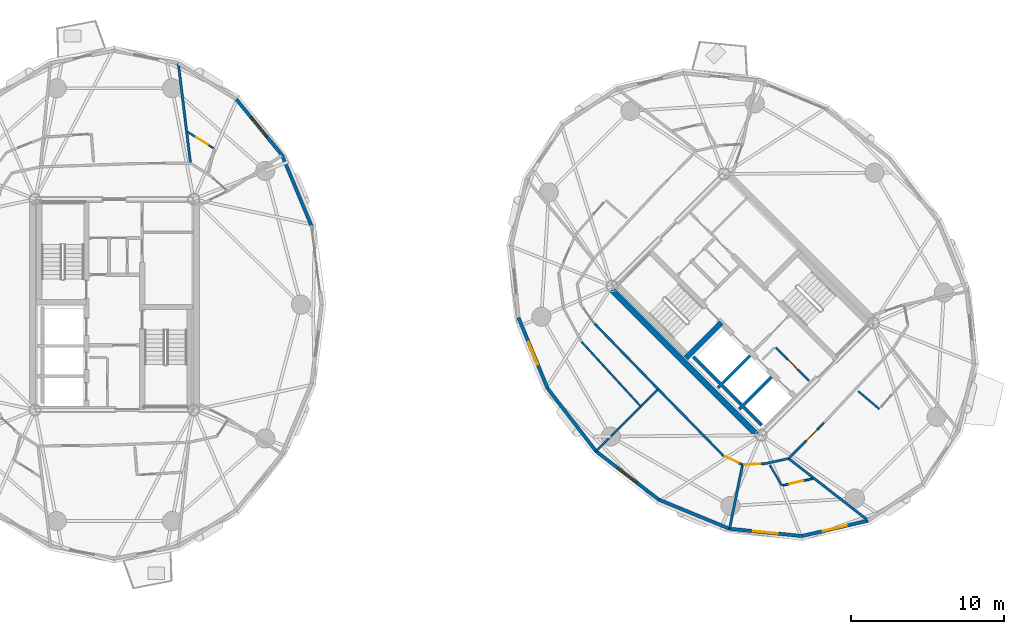
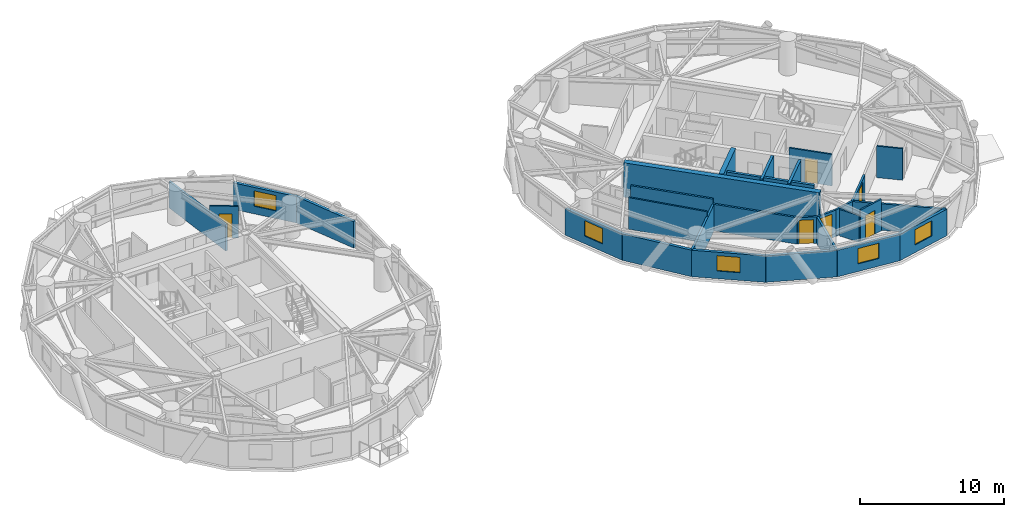
# One storey, part 10 of 16: 31 walls, 6 doors, 5 windows, 11 openings.
"""IFC4 building model written with IfcOpenShell, lengths in metres."""

from ifc_helpers import new_model, si_unit, direction, frame, frame_2d, origin, place, context, subcontext, project, spatial, rectangle, extrude, source, transform, mapped, material, layer, layer_set, type_object, element, fill, save


model = new_model("IFC4")

# Units and contexts
model_context = context("Model", 3, precision=1e-05, world=origin(), true_north=direction((0.0, 1.0)))
body_context = subcontext(model_context, "Body", "Model", "MODEL_VIEW")
ifc_project = project(units=[si_unit("LENGTHUNIT", "METRE"), si_unit("AREAUNIT", "SQUARE_METRE"), si_unit("VOLUMEUNIT", "CUBIC_METRE"), si_unit("PLANEANGLEUNIT", "RADIAN"), si_unit("MASSUNIT", "GRAM", prefix="KILO")], contexts=[model_context])

# Site, building, storey
site_placement = place(None, origin())
site = spatial("IfcSite", under=ifc_project, at=site_placement, CompositionType="ELEMENT")
building_placement = place(site_placement, origin())
building = spatial("IfcBuilding", under=site, at=building_placement, Name="Cununo Teusaquillo Station Towers", CompositionType="ELEMENT")
storey_placement = place(building_placement, frame((0.0, 0.0, 180.699951171875)))
storey = spatial("IfcBuildingStorey", under=building, at=storey_placement, Name="L57", CompositionType="ELEMENT", Elevation=180.699951171875)

# Walls
ifc_material_1 = material(Name="Concrete C50/60", Category="concrete")
ifc_layer_1 = layer(ifc_material_1, 0.199951171875)
ifc_layer_set_1 = layer_set([ifc_layer_1], Name="Concrete C50/60")
wall_type_1 = type_object("IfcWallType", Name="WL-CORE-200", PredefinedType="SHEAR", material=ifc_layer_set_1)
wall_1_placement = place(storey_placement, frame((55.8876953125, 19.0693359375, 0.0), z_axis=(0.0, 0.0, 1.0), x_axis=(0.707106781187, 0.707106781187, 0.0)))
element("IfcWall", 1, at=wall_1_placement, inside=storey, type_object=wall_type_1, Name="L57 Tower B Firefighting Lift Shaft South Shear Wall", PredefinedType="SHEAR", context=body_context, shape_type="SweptSolid", body=[
    extrude(rectangle(XDim=2.969970703125, YDim=0.199951171875, at=frame_2d((1.48486328125, 0.0))), origin(), (0.0, 0.0, 1.0), 2.91015625),
])
wall_2_placement = place(storey_placement, frame((56.01513671875, 19.366455078125, 0.0), z_axis=(0.0, 0.0, 1.0), x_axis=(-0.707106781187, 0.707106781187, 0.0)))
element("IfcWall", 2, at=wall_2_placement, inside=storey, type_object=wall_type_1, Name="L57 Tower B Firefighting Lift Shaft Rear Shear Wall", PredefinedType="SHEAR", context=body_context, shape_type="SweptSolid", body=[
    extrude(rectangle(XDim=2.43994140625, YDim=0.199951171875, at=frame_2d((1.219970703125, 0.0))), origin(), (0.0, 0.0, 1.0), 2.91015625),
])
wall_3_placement = place(storey_placement, frame((57.2841796875, 17.6728515625, 0.0), z_axis=(0.0, 0.0, 1.0), x_axis=(0.707147878904, 0.70706568108, 0.0)))
element("IfcWall", 3, at=wall_3_placement, inside=storey, type_object=wall_type_1, Name="L57 Tower B High-Rise Lift Hoistway Divider Shear Wall", PredefinedType="SHEAR", context=body_context, shape_type="SweptSolid", body=[
    extrude(rectangle(XDim=2.97021484375, YDim=0.199951171875, at=frame_2d((1.485107421875, 0.0))), origin(), (0.0, 0.0, 1.0), 2.91015625),
])
wall_4_placement = place(storey_placement, frame((57.41162109375, 17.969970703125, 0.0), z_axis=(0.0, 0.0, 1.0), x_axis=(-0.707106781187, 0.707106781187, 0.0)))
element("IfcWall", 4, at=wall_4_placement, inside=storey, type_object=wall_type_1, Name="L57 Tower B High-Rise Lift 2 Shaft Rear Shear Wall", PredefinedType="SHEAR", context=body_context, shape_type="SweptSolid", body=[
    extrude(rectangle(XDim=1.73486328125, YDim=0.199951171875, at=frame_2d((0.867431640625, 0.0))), origin(), (0.0, 0.0, 1.0), 2.91015625),
])
wall_5_placement = place(storey_placement, frame((58.7373046875, 16.64404296875, 0.0), z_axis=(0.0, 0.0, 1.0), x_axis=(-0.707032117043, 0.707181437447, 0.0)))
element("IfcWall", 5, at=wall_5_placement, inside=storey, type_object=wall_type_1, Name="L57 Tower B High-Rise Lift 1 Shaft Rear Shear Wall", PredefinedType="SHEAR", context=body_context, shape_type="SweptSolid", body=[
    extrude(rectangle(XDim=1.635009765625, YDim=0.199951171875, at=frame_2d((0.8173828125, 0.0))), origin(), (0.0, 0.0, 1.0), 2.91015625),
])
ifc_material_2 = material(Name="Concrete C50/60", Category="concrete")
ifc_layer_2 = layer(ifc_material_2, 0.35009765625)
ifc_layer_set_2 = layer_set([ifc_layer_2], Name="Concrete C50/60")
wall_type_2 = type_object("IfcWallType", Name="WL-CORE-350", PredefinedType="SHEAR", material=ifc_layer_set_2)
wall_6_placement = place(storey_placement, frame((53.7841796875, 21.00341796875, 0.0), z_axis=(0.0, 0.0, 1.0), x_axis=(0.707106781187, 0.707106781187, 0.0)))
element("IfcWall", 6, at=wall_6_placement, inside=storey, type_object=wall_type_2, Name="L57 Tower B Core Shear Wall ST1S", PredefinedType="SHEAR", context=body_context, shape_type="SweptSolid", body=[
    extrude(rectangle(XDim=3.284912109375, YDim=0.35009765625, at=frame_2d((1.642578125, 0.0))), origin(), (0.0, 0.0, 1.0), 2.91015625),
])
ifc_material_3 = material(Name="Concrete C50/60", Category="concrete")
ifc_layer_3 = layer(ifc_material_3, 0.39990234375)
ifc_layer_set_3 = layer_set([ifc_layer_3], Name="Concrete C50/60")
wall_type_3 = type_object("IfcWallType", Name="WL-CORE-400", PredefinedType="SHEAR", material=ifc_layer_set_3)
wall_7_placement = place(storey_placement, frame((58.7021484375, 15.73193359375, 0.0), z_axis=(0.0, 0.0, 1.0), x_axis=(-0.707106781187, 0.707106781187, 0.0)))
element("IfcWall", 7, at=wall_7_placement, inside=storey, type_object=wall_type_3, Name="L57 Tower B Core Shear Wall W", PredefinedType="SHEAR", context=body_context, shape_type="SweptSolid", body=[
    extrude(rectangle(XDim=14.10009765625, YDim=0.39990234375, at=frame_2d((7.050048828125, 0.0))), origin(), (0.0, 0.0, 1.0), 2.91015625),
])
ifc_material_4 = material(Name="Precast concrete C40/50", Category="concrete")
ifc_layer_4 = layer(ifc_material_4, 0.219970703125)
ifc_layer_set_4 = layer_set([ifc_layer_4], Name="Precast concrete C40/50")
wall_type_4 = type_object("IfcWallType", Name="WL-EXT-220", PredefinedType="SOLIDWALL", material=ifc_layer_set_4)
wall_8_placement = place(storey_placement, frame((27.44677734375, 34.239501953125, 0.0), z_axis=(0.0, 0.0, 1.0), x_axis=(0.384144094086, -0.923273152961, 0.0)))
element("IfcWall", 8, at=wall_8_placement, inside=storey, type_object=wall_type_4, Name="L57 Tower A Exterior Facade Wall C01", PredefinedType="SOLIDWALL", context=body_context, shape_type="SweptSolid", body=[
    extrude(rectangle(XDim=5.0029296875, YDim=0.219970703125, at=frame_2d((2.50146484375, 0.0))), origin(), (0.0, 0.0, 1.0), 2.2451171875),
])

# Wall, opening, window
wall_9_placement = place(storey_placement, frame((24.453369140625, 37.905517578125, 0.0), z_axis=(0.0, 0.0, 1.0), x_axis=(0.632470615287, -0.774584353572, 0.0)))
wall_9 = element("IfcWall", 9, at=wall_9_placement, inside=storey, type_object=wall_type_4, Name="L57 Tower A Exterior Facade Wall C02", PredefinedType="SOLIDWALL", context=body_context, shape_type="SweptSolid", body=[
    extrude(rectangle(XDim=4.73291015625, YDim=0.219970703125, at=frame_2d((2.366455078125, 0.0))), origin(), (0.0, 0.0, 1.0), 2.2451171875),
])
shared_shape_1 = source(origin(), body_context, "Body", "SweptSolid", [
    extrude(rectangle(XDim=1.60009765625, YDim=1.300048828125, at=frame_2d((0.800048828125, 0.64990234375))), frame((0.0, 0.119873046875, 0.0), z_axis=(0.0, -1.0, 0.0), x_axis=(1.0, 0.0, 0.0)), (0.0, 0.0, 1.0), 0.239990234375),
])
opening_1_placement = place(wall_9_placement, frame((1.56591796875, 0.0, 0.64990234375)))
opening_1 = element("IfcOpeningElement", 10, at=opening_1_placement, cuts=wall_9, Name="Opening WN-03", PredefinedType="OPENING", context=body_context, shape_type="MappedRepresentation", body=[
    mapped(shared_shape_1, transform((0.0, 0.0, 0.0), x_axis=(1.0, 0.0, 0.0), y_axis=(0.0, 1.0, 0.0), z_axis=(0.0, 0.0, 1.0), scale=1.0)),
])
ifc_material_5 = material(Name="Ceramic-fritted dark low-E double glazing", Category="glass")
window_type = type_object("IfcWindowType", Name="WIN-CORN-1600", PartitioningType="SINGLE_PANEL", PredefinedType="WINDOW", material=ifc_material_5)
shared_shape_2 = source(origin(), body_context, "Body", "SweptSolid", [
    extrude(rectangle(XDim=1.60009765625, YDim=1.300048828125, at=frame_2d((0.800048828125, 0.64990234375))), frame((0.0, 0.030029296875, 0.0), z_axis=(0.0, -1.0, 0.0), x_axis=(1.0, 0.0, 0.0)), (0.0, 0.0, 1.0), 0.06005859375),
])
window_1_placement = place(opening_1_placement, origin())
window_1 = element("IfcWindow", 11, at=window_1_placement, inside=storey, type_object=window_type, Name="L57 Tower A Facade Window C02", OverallHeight=1.300048828125, OverallWidth=1.60009765625, PartitioningType="SINGLE_PANEL", PredefinedType="WINDOW", context=body_context, shape_type="MappedRepresentation", body=[
    mapped(shared_shape_2, transform((0.0, 0.0, 0.0), x_axis=(1.0, 0.0, 0.0), y_axis=(0.0, 1.0, 0.0), z_axis=(0.0, 0.0, 1.0), scale=1.0)),
])
fill(opening_1, window_1)

wall_10_placement = place(storey_placement, frame((44.77978515625, 19.02099609375, 0.0), z_axis=(0.0, 0.0, 1.0), x_axis=(-0.381196434348, 0.924494066201, 0.0)))
wall_10 = element("IfcWall", 12, at=wall_10_placement, inside=storey, type_object=wall_type_4, Name="L57 Tower B Exterior Facade Wall C08", PredefinedType="SOLIDWALL", context=body_context, shape_type="SweptSolid", body=[
    extrude(rectangle(XDim=5.003173828125, YDim=0.219970703125, at=frame_2d((2.50146484375, 0.0))), origin(), (0.0, 0.0, 1.0), 2.2451171875),
])
opening_2_placement = place(wall_10_placement, frame((1.701904296875, 0.0, 0.64990234375)))
opening_2 = element("IfcOpeningElement", 13, at=opening_2_placement, cuts=wall_10, Name="Opening WN-03", PredefinedType="OPENING", context=body_context, shape_type="MappedRepresentation", body=[
    mapped(shared_shape_1, transform((0.0, 0.0, 0.0), x_axis=(1.0, 0.0, 0.0), y_axis=(0.0, 1.0, 0.0), z_axis=(0.0, 0.0, 1.0), scale=1.0)),
])
window_2_placement = place(opening_2_placement, origin())
window_2 = element("IfcWindow", 14, at=window_2_placement, inside=storey, type_object=window_type, Name="L57 Tower B Facade Window C08", OverallHeight=1.300048828125, OverallWidth=1.60009765625, PartitioningType="SINGLE_PANEL", PredefinedType="WINDOW", context=body_context, shape_type="MappedRepresentation", body=[
    mapped(shared_shape_2, transform((0.0, 0.0, 0.0), x_axis=(1.0, 0.0, 0.0), y_axis=(0.0, 1.0, 0.0), z_axis=(0.0, 0.0, 1.0), scale=1.0)),
])
fill(opening_2, window_2)

# Wall
wall_11_placement = place(storey_placement, frame((47.93212890625, 14.93212890625, 0.0), z_axis=(0.0, 0.0, 1.0), x_axis=(-0.610569654715, 0.791962560189, 0.0)))
element("IfcWall", 15, at=wall_11_placement, inside=storey, type_object=wall_type_4, Name="L57 Tower B Exterior Facade Wall C09", PredefinedType="SOLIDWALL", context=body_context, shape_type="SweptSolid", body=[
    extrude(rectangle(XDim=5.162841796875, YDim=0.219970703125, at=frame_2d((2.58154296875, 0.0))), origin(), (0.0, 0.0, 1.0), 2.2451171875),
])

# Wall, opening, window
wall_12_placement = place(storey_placement, frame((52.02099609375, 11.77978515625, 0.0), z_axis=(0.0, 0.0, 1.0), x_axis=(-0.791962560189, 0.610569654715, 0.0)))
wall_12 = element("IfcWall", 16, at=wall_12_placement, inside=storey, type_object=wall_type_4, Name="L57 Tower B Exterior Facade Wall C10", PredefinedType="SOLIDWALL", context=body_context, shape_type="SweptSolid", body=[
    extrude(rectangle(XDim=5.162841796875, YDim=0.219970703125, at=frame_2d((2.58154296875, 0.0))), origin(), (0.0, 0.0, 1.0), 2.2451171875),
])
opening_3_placement = place(wall_12_placement, frame((1.781982421875, 0.0, 0.64990234375)))
opening_3 = element("IfcOpeningElement", 17, at=opening_3_placement, cuts=wall_12, Name="Opening WN-03", PredefinedType="OPENING", context=body_context, shape_type="MappedRepresentation", body=[
    mapped(shared_shape_1, transform((0.0, 0.0, 0.0), x_axis=(1.0, 0.0, 0.0), y_axis=(0.0, 1.0, 0.0), z_axis=(0.0, 0.0, 1.0), scale=1.0)),
])
window_3_placement = place(opening_3_placement, origin())
window_3 = element("IfcWindow", 18, at=window_3_placement, inside=storey, type_object=window_type, Name="L57 Tower B Facade Window C10", OverallHeight=1.300048828125, OverallWidth=1.60009765625, PartitioningType="SINGLE_PANEL", PredefinedType="WINDOW", context=body_context, shape_type="MappedRepresentation", body=[
    mapped(shared_shape_2, transform((0.0, 0.0, 0.0), x_axis=(1.0, 0.0, 0.0), y_axis=(0.0, 1.0, 0.0), z_axis=(0.0, 0.0, 1.0), scale=1.0)),
])
fill(opening_3, window_3)

# Wall
wall_13_placement = place(storey_placement, frame((56.646484375, 9.87255859375, 0.0), z_axis=(0.0, 0.0, 1.0), x_axis=(-0.924494066201, 0.381196434348, 0.0)))
element("IfcWall", 19, at=wall_13_placement, inside=storey, type_object=wall_type_4, Name="L57 Tower B Exterior Facade Wall C11", PredefinedType="SOLIDWALL", context=body_context, shape_type="SweptSolid", body=[
    extrude(rectangle(XDim=5.003173828125, YDim=0.219970703125, at=frame_2d((2.50146484375, 0.0))), origin(), (0.0, 0.0, 1.0), 2.2451171875),
])

# Wall, opening, window
wall_14_placement = place(storey_placement, frame((61.355224609375, 9.397216796875, 0.0), z_axis=(0.0, 0.0, 1.0), x_axis=(-0.994943283129, 0.100438356004, 0.0)))
wall_14 = element("IfcWall", 20, at=wall_14_placement, inside=storey, type_object=wall_type_4, Name="L57 Tower B Exterior Facade Wall C12", PredefinedType="SOLIDWALL", context=body_context, shape_type="SweptSolid", body=[
    extrude(rectangle(XDim=4.732666015625, YDim=0.219970703125, at=frame_2d((2.3662109375, 0.0))), origin(), (0.0, 0.0, 1.0), 2.2451171875),
])
opening_4_placement = place(wall_14_placement, frame((1.56591796875, 0.0, 0.64990234375)))
opening_4 = element("IfcOpeningElement", 21, at=opening_4_placement, cuts=wall_14, Name="Opening WN-03", PredefinedType="OPENING", context=body_context, shape_type="MappedRepresentation", body=[
    mapped(shared_shape_1, transform((0.0, 0.0, 0.0), x_axis=(1.0, 0.0, 0.0), y_axis=(0.0, 1.0, 0.0), z_axis=(0.0, 0.0, 1.0), scale=1.0)),
])
window_4_placement = place(opening_4_placement, origin())
window_4 = element("IfcWindow", 22, at=window_4_placement, inside=storey, type_object=window_type, Name="L57 Tower B Facade Window C12", OverallHeight=1.300048828125, OverallWidth=1.60009765625, PartitioningType="SINGLE_PANEL", PredefinedType="WINDOW", context=body_context, shape_type="MappedRepresentation", body=[
    mapped(shared_shape_2, transform((0.0, 0.0, 0.0), x_axis=(1.0, 0.0, 0.0), y_axis=(0.0, 1.0, 0.0), z_axis=(0.0, 0.0, 1.0), scale=1.0)),
])
fill(opening_4, window_4)

wall_15_placement = place(storey_placement, frame((65.686767578125, 10.400146484375, 0.0), z_axis=(0.0, 0.0, 1.0), x_axis=(-0.97422620202, -0.22557328587, 0.0)))
wall_15 = element("IfcWall", 23, at=wall_15_placement, inside=storey, type_object=wall_type_4, Name="L57 Tower B Exterior Facade Wall C13", PredefinedType="SOLIDWALL", context=body_context, shape_type="SweptSolid", body=[
    extrude(rectangle(XDim=4.446044921875, YDim=0.219970703125, at=frame_2d((2.22314453125, 0.0))), origin(), (0.0, 0.0, 1.0), 2.2451171875),
])
opening_5_placement = place(wall_15_placement, frame((1.423095703125, 0.0, 0.64990234375)))
opening_5 = element("IfcOpeningElement", 24, at=opening_5_placement, cuts=wall_15, Name="Opening WN-03", PredefinedType="OPENING", context=body_context, shape_type="MappedRepresentation", body=[
    mapped(shared_shape_1, transform((0.0, 0.0, 0.0), x_axis=(1.0, 0.0, 0.0), y_axis=(0.0, 1.0, 0.0), z_axis=(0.0, 0.0, 1.0), scale=1.0)),
])
window_5_placement = place(opening_5_placement, origin())
window_5 = element("IfcWindow", 25, at=window_5_placement, inside=storey, type_object=window_type, Name="L57 Tower B Facade Window C13", OverallHeight=1.300048828125, OverallWidth=1.60009765625, PartitioningType="SINGLE_PANEL", PredefinedType="WINDOW", context=body_context, shape_type="MappedRepresentation", body=[
    mapped(shared_shape_2, transform((0.0, 0.0, 0.0), x_axis=(1.0, 0.0, 0.0), y_axis=(0.0, 1.0, 0.0), z_axis=(0.0, 0.0, 1.0), scale=1.0)),
])
fill(opening_5, window_5)

# Wall, opening, door
ifc_material_6 = material(Name="Fire-rated gypsum plasterboard partition assembly", Category="gypsum")
ifc_layer_5 = layer(ifc_material_6, 0.125)
ifc_layer_set_5 = layer_set([ifc_layer_5], Name="Fire-rated gypsum plasterboard partition assembly")
wall_type_5 = type_object("IfcWallType", Name="WL-PART-125", PredefinedType="PARTITIONING", material=ifc_layer_set_5)
wall_16_placement = place(storey_placement, frame((22.974853515625, 34.70361328125, 0.0), z_axis=(0.0, 0.0, 1.0), x_axis=(-0.84683355027, 0.531858005615, 0.0)))
wall_16 = element("IfcWall", 26, at=wall_16_placement, inside=storey, type_object=wall_type_5, Name="L57 Tower A S01 En-suite Back Wall", PredefinedType="PARTITIONING", context=body_context, shape_type="SweptSolid", body=[
    extrude(rectangle(XDim=1.99365234375, YDim=0.125, at=frame_2d((0.996826171875, 0.0))), origin(), (0.0, 0.0, 1.0), 2.675048828125),
])
shared_shape_3 = source(origin(), body_context, "Body", "SweptSolid", [
    extrude(rectangle(XDim=0.89990234375, YDim=2.0048828125, at=frame_2d((0.449951171875, 1.00244140625))), frame((0.0, 0.072509765625, 0.0), z_axis=(0.0, -1.0, 0.0), x_axis=(1.0, 0.0, 0.0)), (0.0, 0.0, 1.0), 0.14501953125),
])
opening_6_placement = place(wall_16_placement, frame((0.440185546875, 0.0, 0.0)))
opening_6 = element("IfcOpeningElement", 27, at=opening_6_placement, cuts=wall_16, Name="Opening D-IN1", PredefinedType="OPENING", context=body_context, shape_type="MappedRepresentation", body=[
    mapped(shared_shape_3, transform((0.0, 0.0, 0.0), x_axis=(1.0, 0.0, 0.0), y_axis=(0.0, 1.0, 0.0), z_axis=(0.0, 0.0, 1.0), scale=1.0)),
])
ifc_material_7 = material(Name="Acoustic solid-core hardwood leaf assembly", Category="wood")
door_type_1 = type_object("IfcDoorType", Name="DR-INT-900", OperationType="NOTDEFINED", PredefinedType="DOOR", material=ifc_material_7)
shared_shape_4 = source(origin(), body_context, "Body", "SweptSolid", [
    extrude(rectangle(XDim=0.89990234375, YDim=2.0048828125, at=frame_2d((0.449951171875, 1.00244140625))), frame((0.0, 0.02490234375, 0.0), z_axis=(0.0, -1.0, 0.0), x_axis=(1.0, 0.0, 0.0)), (0.0, 0.0, 1.0), 0.050048828125),
])
door_1_placement = place(opening_6_placement, origin())
door_1 = element("IfcDoor", 28, at=door_1_placement, inside=storey, type_object=door_type_1, Name="L57 Tower A S01 En-suite Bathroom Door", OperationType="SINGLE_SWING_RIGHT", OverallHeight=2.0048828125, OverallWidth=0.89990234375, PredefinedType="DOOR", context=body_context, shape_type="MappedRepresentation", body=[
    mapped(shared_shape_4, transform((0.0, 0.0, 0.0), x_axis=(1.0, 0.0, 0.0), y_axis=(0.0, 1.0, 0.0), z_axis=(0.0, 0.0, 1.0), scale=1.0)),
])
fill(opening_6, door_1)

wall_17_placement = place(storey_placement, frame((61.834716796875, 19.529052734375, 0.0), z_axis=(0.0, 0.0, 1.0), x_axis=(-0.707146413884, 0.707067146267, 0.0)))
wall_17 = element("IfcWall", 29, at=wall_17_placement, inside=storey, type_object=wall_type_5, Name="L57 Tower B South-West Tall Store East Wall", PredefinedType="PARTITIONING", context=body_context, shape_type="SweptSolid", body=[
    extrude(rectangle(XDim=3.079833984375, YDim=0.125, at=frame_2d((1.5400390625, 0.0))), origin(), (0.0, 0.0, 1.0), 2.675048828125),
])
opening_7_placement = place(wall_17_placement, frame((1.050048828125, 0.0, 0.0)))
opening_7 = element("IfcOpeningElement", 30, at=opening_7_placement, cuts=wall_17, Name="Opening D-SR1", PredefinedType="OPENING", context=body_context, shape_type="MappedRepresentation", body=[
    mapped(shared_shape_3, transform((0.0, 0.0, 0.0), x_axis=(1.0, 0.0, 0.0), y_axis=(0.0, 1.0, 0.0), z_axis=(0.0, 0.0, 1.0), scale=1.0)),
])
ifc_material_8 = material(Name="Galvanised fire-rated hollow steel door assembly", Category="steel")
door_type_2 = type_object("IfcDoorType", Name="DR-STORE-900", OperationType="NOTDEFINED", PredefinedType="DOOR", material=ifc_material_8)
door_2_placement = place(opening_7_placement, origin())
door_2 = element("IfcDoor", 31, at=door_2_placement, inside=storey, type_object=door_type_2, Name="L57 Tower B South Cleaners Store Door", OperationType="SINGLE_SWING_LEFT", OverallHeight=2.0048828125, OverallWidth=0.89990234375, PredefinedType="DOOR", context=body_context, shape_type="MappedRepresentation", body=[
    mapped(shared_shape_4, transform((0.0, 0.0, 0.0), x_axis=(1.0, 0.0, 0.0), y_axis=(0.0, 1.0, 0.0), z_axis=(0.0, 0.0, 1.0), scale=1.0)),
])
fill(opening_7, door_2)

# Walls
wall_18_placement = place(storey_placement, frame((46.990966796875, 22.07080078125, 0.0), z_axis=(0.0, 0.0, 1.0), x_axis=(0.675455872419, -0.737400409828, 0.0)))
element("IfcWall", 32, at=wall_18_placement, inside=storey, type_object=wall_type_5, Name="L57 Tower B Hotel Tea & Cigar Conservatory Concentric Partition Wall C09", PredefinedType="PARTITIONING", context=body_context, shape_type="SweptSolid", body=[
    extrude(rectangle(XDim=5.71875, YDim=0.125, at=frame_2d((2.859375, 0.0))), origin(), (0.0, 0.0, 1.0), 2.675048828125),
])
wall_19_placement = place(storey_placement, frame((59.26513671875, 14.027587890625, 0.0), z_axis=(0.0, 0.0, 1.0), x_axis=(0.515875690436, -0.856663453181, 0.0)))
element("IfcWall", 33, at=wall_19_placement, inside=storey, type_object=wall_type_5, Name="L57 Tower B S05 En-suite Side Wall", PredefinedType="PARTITIONING", context=body_context, shape_type="SweptSolid", body=[
    extrude(rectangle(XDim=1.560302734375, YDim=0.125, at=frame_2d((0.7802734375, 0.0))), origin(), (0.0, 0.0, 1.0), 2.2451171875),
])

# Wall, opening, door
wall_20_placement = place(storey_placement, frame((60.130859375, 12.70458984375, 0.0), z_axis=(0.0, 0.0, 1.0), x_axis=(0.975184609806, 0.221393262767, 0.0)))
wall_20 = element("IfcWall", 34, at=wall_20_placement, inside=storey, type_object=wall_type_5, Name="L57 Tower B S05 En-suite Back Wall", PredefinedType="PARTITIONING", context=body_context, shape_type="SweptSolid", body=[
    extrude(rectangle(XDim=1.991455078125, YDim=0.125, at=frame_2d((0.99560546875, 0.0))), origin(), (0.0, 0.0, 1.0), 2.675048828125),
])
opening_8_placement = place(wall_20_placement, frame((0.439208984375, 0.0, 0.0)))
opening_8 = element("IfcOpeningElement", 35, at=opening_8_placement, cuts=wall_20, Name="Opening D-IN1", PredefinedType="OPENING", context=body_context, shape_type="MappedRepresentation", body=[
    mapped(shared_shape_3, transform((0.0, 0.0, 0.0), x_axis=(1.0, 0.0, 0.0), y_axis=(0.0, 1.0, 0.0), z_axis=(0.0, 0.0, 1.0), scale=1.0)),
])
door_3_placement = place(opening_8_placement, origin())
door_3 = element("IfcDoor", 36, at=door_3_placement, inside=storey, type_object=door_type_1, Name="L57 Tower B S05 En-suite Bathroom Door", OperationType="SINGLE_SWING_RIGHT", OverallHeight=2.0048828125, OverallWidth=0.89990234375, PredefinedType="DOOR", context=body_context, shape_type="MappedRepresentation", body=[
    mapped(shared_shape_4, transform((0.0, 0.0, 0.0), x_axis=(1.0, 0.0, 0.0), y_axis=(0.0, 1.0, 0.0), z_axis=(0.0, 0.0, 1.0), scale=1.0)),
])
fill(opening_8, door_3)

# Walls
wall_21_placement = place(storey_placement, frame((65.032958984375, 18.85595703125, 0.0), z_axis=(0.0, 0.0, 1.0), x_axis=(0.764632588969, -0.644466449, 0.0)))
element("IfcWall", 37, at=wall_21_placement, inside=storey, type_object=wall_type_5, Name="L57 Tower B S06 En-suite Side Wall", PredefinedType="PARTITIONING", context=body_context, shape_type="SweptSolid", body=[
    extrude(rectangle(XDim=1.818359375, YDim=0.125, at=frame_2d((0.9091796875, 0.0))), origin(), (0.0, 0.0, 1.0), 2.675048828125),
])
ifc_material_9 = material(Name="Fire-rated gypsum plasterboard partition assembly", Category="gypsum")
ifc_layer_6 = layer(ifc_material_9, 0.14990234375)
ifc_layer_set_6 = layer_set([ifc_layer_6], Name="Fire-rated gypsum plasterboard partition assembly")
wall_type_6 = type_object("IfcWallType", Name="WL-PART-150", PredefinedType="PARTITIONING", material=ifc_layer_set_6)
wall_22_placement = place(storey_placement, frame((47.843994140625, 23.25341796875, 0.0), z_axis=(0.0, 0.0, 1.0), x_axis=(0.696248411352, -0.717800912293, 0.0)))
element("IfcWall", 38, at=wall_22_placement, inside=storey, type_object=wall_type_6, Name="L57 Tower B Corridor Ring Wall C09", PredefinedType="PARTITIONING", context=body_context, shape_type="SweptSolid", body=[
    extrude(rectangle(XDim=5.947021484375, YDim=0.14990234375, at=frame_2d((2.9736328125, 0.0))), origin(), (0.0, 0.0, 1.0), 2.675048828125),
])
wall_23_placement = place(storey_placement, frame((51.984619140625, 18.984619140625, 0.0), z_axis=(0.0, 0.0, 1.0), x_axis=(0.699619654291, -0.714515457726, 0.0)))
element("IfcWall", 39, at=wall_23_placement, inside=storey, type_object=wall_type_6, Name="L57 Tower B Corridor Ring Wall C10", PredefinedType="PARTITIONING", context=body_context, shape_type="SweptSolid", body=[
    extrude(rectangle(XDim=6.064208984375, YDim=0.14990234375, at=frame_2d((3.0322265625, 0.0))), origin(), (0.0, 0.0, 1.0), 2.2451171875),
])

# Wall, opening, door
wall_24_placement = place(storey_placement, frame((56.227294921875, 14.651611328125, 0.0), z_axis=(0.0, 0.0, 1.0), x_axis=(0.902364039563, -0.430974639745, 0.0)))
wall_24 = element("IfcWall", 40, at=wall_24_placement, inside=storey, type_object=wall_type_6, Name="L57 Tower B Corridor Ring Wall C11", PredefinedType="PARTITIONING", context=body_context, shape_type="SweptSolid", body=[
    extrude(rectangle(XDim=1.4013671875, YDim=0.14990234375, at=frame_2d((0.70068359375, 0.0))), origin(), (0.0, 0.0, 1.0), 2.2451171875),
])
shared_shape_5 = source(origin(), body_context, "Body", "SweptSolid", [
    extrude(rectangle(XDim=1.0, YDim=2.014892578125, at=frame_2d((0.5, 1.00732421875))), frame((0.0, 0.0849609375, 0.0), z_axis=(0.0, -1.0, 0.0), x_axis=(1.0, 0.0, 0.0)), (0.0, 0.0, 1.0), 0.169921875),
])
opening_9_placement = place(wall_24_placement, frame((0.1201171875, 0.0, 0.0)))
opening_9 = element("IfcOpeningElement", 41, at=opening_9_placement, cuts=wall_24, Name="Opening D-AC1", PredefinedType="OPENING", context=body_context, shape_type="MappedRepresentation", body=[
    mapped(shared_shape_5, transform((0.0, 0.0, 0.0), x_axis=(1.0, 0.0, 0.0), y_axis=(0.0, 1.0, 0.0), z_axis=(0.0, 0.0, 1.0), scale=1.0)),
])
ifc_material_10 = material(Name="Acoustic solid-core hardwood leaf assembly", Category="wood")
door_type_3 = type_object("IfcDoorType", Name="DR-ACC-1000", OperationType="NOTDEFINED", PredefinedType="DOOR", material=ifc_material_10)
shared_shape_6 = source(origin(), body_context, "Body", "SweptSolid", [
    extrude(rectangle(XDim=1.0, YDim=2.014892578125, at=frame_2d((0.5, 1.00732421875))), frame((0.0, 0.02490234375, 0.0), z_axis=(0.0, -1.0, 0.0), x_axis=(1.0, 0.0, 0.0)), (0.0, 0.0, 1.0), 0.050048828125),
])
door_4_placement = place(opening_9_placement, origin())
door_4 = element("IfcDoor", 42, at=door_4_placement, inside=storey, type_object=door_type_3, Name="L57 Tower B Public Accessible Restroom WC Entrance Door", OperationType="SINGLE_SWING_RIGHT", OverallHeight=2.014892578125, OverallWidth=1.0, PredefinedType="DOOR", context=body_context, shape_type="MappedRepresentation", body=[
    mapped(shared_shape_6, transform((0.0, 0.0, 0.0), x_axis=(1.0, 0.0, 0.0), y_axis=(0.0, 1.0, 0.0), z_axis=(0.0, 0.0, 1.0), scale=1.0)),
])
fill(opening_9, door_4)

wall_25_placement = place(storey_placement, frame((57.491943359375, 14.047607421875, 0.0), z_axis=(0.0, 0.0, 1.0), x_axis=(0.99885011351, 0.047942160364, 0.0)))
wall_25 = element("IfcWall", 43, at=wall_25_placement, inside=storey, type_object=wall_type_6, Name="L57 Tower B Corridor Ring Wall C12", PredefinedType="PARTITIONING", context=body_context, shape_type="SweptSolid", body=[
    extrude(rectangle(XDim=1.476806640625, YDim=0.14990234375, at=frame_2d((0.73828125, 0.0))), origin(), (0.0, 0.0, 1.0), 2.2451171875),
])
shared_shape_7 = source(origin(), body_context, "Body", "SweptSolid", [
    extrude(rectangle(XDim=1.050048828125, YDim=2.014892578125, at=frame_2d((0.52490234375, 1.00732421875))), frame((0.0, 0.0849609375, 0.0), z_axis=(0.0, -1.0, 0.0), x_axis=(1.0, 0.0, 0.0)), (0.0, 0.0, 1.0), 0.169921875),
])
opening_10_placement = place(wall_25_placement, frame((0.1201171875, 0.0, 0.0)))
opening_10 = element("IfcOpeningElement", 44, at=opening_10_placement, cuts=wall_25, Name="Opening D-SU1", PredefinedType="OPENING", context=body_context, shape_type="MappedRepresentation", body=[
    mapped(shared_shape_7, transform((0.0, 0.0, 0.0), x_axis=(1.0, 0.0, 0.0), y_axis=(0.0, 1.0, 0.0), z_axis=(0.0, 0.0, 1.0), scale=1.0)),
])
ifc_material_11 = material(Name="Acoustic solid-core hardwood leaf assembly", Category="wood")
door_type_4 = type_object("IfcDoorType", Name="DR-SUITE-1050", OperationType="NOTDEFINED", PredefinedType="DOOR", material=ifc_material_11)
shared_shape_8 = source(origin(), body_context, "Body", "SweptSolid", [
    extrude(rectangle(XDim=1.050048828125, YDim=2.014892578125, at=frame_2d((0.52490234375, 1.00732421875))), frame((0.0, 0.02490234375, 0.0), z_axis=(0.0, -1.0, 0.0), x_axis=(1.0, 0.0, 0.0)), (0.0, 0.0, 1.0), 0.050048828125),
])
door_5_placement = place(opening_10_placement, origin())
door_5 = element("IfcDoor", 45, at=door_5_placement, inside=storey, type_object=door_type_4, Name="L57 Tower B Emerald Horizon Hotel Suite Entrance Door", OperationType="SINGLE_SWING_LEFT", OverallHeight=2.014892578125, OverallWidth=1.050048828125, PredefinedType="DOOR", context=body_context, shape_type="MappedRepresentation", body=[
    mapped(shared_shape_8, transform((0.0, 0.0, 0.0), x_axis=(1.0, 0.0, 0.0), y_axis=(0.0, 1.0, 0.0), z_axis=(0.0, 0.0, 1.0), scale=1.0)),
])
fill(opening_10, door_5)

# Wall
wall_26_placement = place(storey_placement, frame((58.967041015625, 14.118408203125, 0.0), z_axis=(0.0, 0.0, 1.0), x_axis=(0.976471358036, 0.215647135235, 0.0)))
element("IfcWall", 46, at=wall_26_placement, inside=storey, type_object=wall_type_6, Name="L57 Tower B Corridor Ring Wall C13", PredefinedType="PARTITIONING", context=body_context, shape_type="SweptSolid", body=[
    extrude(rectangle(XDim=1.5712890625, YDim=0.14990234375, at=frame_2d((0.78564453125, 0.0))), origin(), (0.0, 0.0, 1.0), 2.2451171875),
])

# Wall, opening, door
wall_27_placement = place(storey_placement, frame((60.50146484375, 14.457275390625, 0.0), z_axis=(0.0, 0.0, 1.0), x_axis=(0.704012266258, 0.710187812454, 0.0)))
wall_27 = element("IfcWall", 47, at=wall_27_placement, inside=storey, type_object=wall_type_6, Name="L57 Tower B Corridor Ring Wall C14", PredefinedType="PARTITIONING", context=body_context, shape_type="SweptSolid", body=[
    extrude(rectangle(XDim=3.28125, YDim=0.14990234375, at=frame_2d((1.640625, 0.0))), origin(), (0.0, 0.0, 1.0), 2.2451171875),
])
opening_11_placement = place(wall_27_placement, frame((1.613525390625, 0.0, 0.0)))
opening_11 = element("IfcOpeningElement", 48, at=opening_11_placement, cuts=wall_27, Name="Opening D-SU1", PredefinedType="OPENING", context=body_context, shape_type="MappedRepresentation", body=[
    mapped(shared_shape_7, transform((0.0, 0.0, 0.0), x_axis=(1.0, 0.0, 0.0), y_axis=(0.0, 1.0, 0.0), z_axis=(0.0, 0.0, 1.0), scale=1.0)),
])
door_6_placement = place(opening_11_placement, origin())
door_6 = element("IfcDoor", 49, at=door_6_placement, inside=storey, type_object=door_type_4, Name="L57 Tower B Paramo View Hotel Suite Entrance Door", OperationType="SINGLE_SWING_LEFT", OverallHeight=2.014892578125, OverallWidth=1.050048828125, PredefinedType="DOOR", context=body_context, shape_type="MappedRepresentation", body=[
    mapped(shared_shape_8, transform((0.0, 0.0, 0.0), x_axis=(1.0, 0.0, 0.0), y_axis=(0.0, 1.0, 0.0), z_axis=(0.0, 0.0, 1.0), scale=1.0)),
])
fill(opening_11, door_6)

# Walls
ifc_material_12 = material(Name="Fire-rated gypsum plasterboard partition assembly", Category="gypsum")
ifc_layer_7 = layer(ifc_material_12, 0.159912109375)
ifc_layer_set_7 = layer_set([ifc_layer_7], Name="Fire-rated gypsum plasterboard partition assembly")
wall_type_7 = type_object("IfcWallType", Name="WL-PART-160", PredefinedType="PARTITIONING", material=ifc_layer_set_7)
wall_28_placement = place(storey_placement, frame((21.4658203125, 33.7255859375, 0.0), z_axis=(0.0, 0.0, 1.0), x_axis=(-0.12050358126, 0.992712892484, 0.0)))
element("IfcWall", 50, at=wall_28_placement, inside=storey, type_object=wall_type_7, Name="L57 Tower A Radial Suite Partition R02", PredefinedType="PARTITIONING", context=body_context, shape_type="SweptSolid", body=[
    extrude(rectangle(XDim=6.562255859375, YDim=0.159912109375, at=frame_2d((3.28125, 0.0))), origin(), (0.0, 0.0, 1.0), 2.2451171875),
])
wall_29_placement = place(storey_placement, frame((51.984619140625, 18.984619140625, 0.0), z_axis=(0.0, 0.0, 1.0), x_axis=(-0.707106781187, -0.707106781187, 0.0)))
element("IfcWall", 51, at=wall_29_placement, inside=storey, type_object=wall_type_7, Name="L57 Tower B Radial Suite Partition R04", PredefinedType="PARTITIONING", context=body_context, shape_type="SweptSolid", body=[
    extrude(rectangle(XDim=5.711181640625, YDim=0.159912109375, at=frame_2d((2.85546875, 0.0))), origin(), (0.0, 0.0, 1.0), 2.2451171875),
])
wall_30_placement = place(storey_placement, frame((57.491943359375, 14.047607421875, 0.0), z_axis=(0.0, 0.0, 1.0), x_axis=(-0.198717737532, -0.980056764065, 0.0)))
element("IfcWall", 52, at=wall_30_placement, inside=storey, type_object=wall_type_7, Name="L57 Tower B Radial Suite Partition R05", PredefinedType="PARTITIONING", context=body_context, shape_type="SweptSolid", body=[
    extrude(rectangle(XDim=4.23974609375, YDim=0.159912109375, at=frame_2d((2.119873046875, 0.0))), origin(), (0.0, 0.0, 1.0), 2.2451171875),
])
wall_31_placement = place(storey_placement, frame((60.50146484375, 14.457275390625, 0.0), z_axis=(0.0, 0.0, 1.0), x_axis=(0.788354052705, -0.61522181982, 0.0)))
element("IfcWall", 53, at=wall_31_placement, inside=storey, type_object=wall_type_7, Name="L57 Tower B Radial Suite Partition R06", PredefinedType="PARTITIONING", context=body_context, shape_type="SweptSolid", body=[
    extrude(rectangle(XDim=6.565673828125, YDim=0.159912109375, at=frame_2d((3.28271484375, 0.0))), origin(), (0.0, 0.0, 1.0), 2.2451171875),
])

save(model, "model.ifc")
